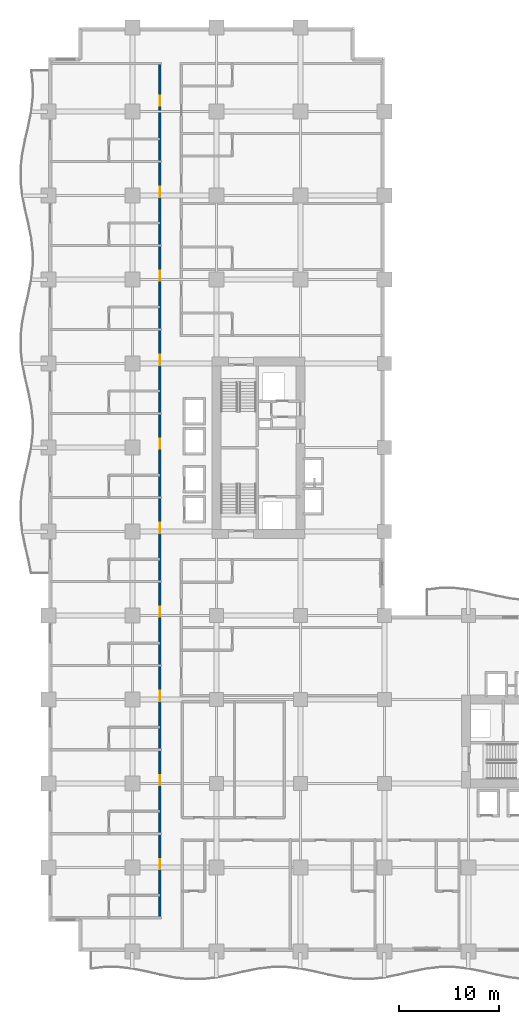
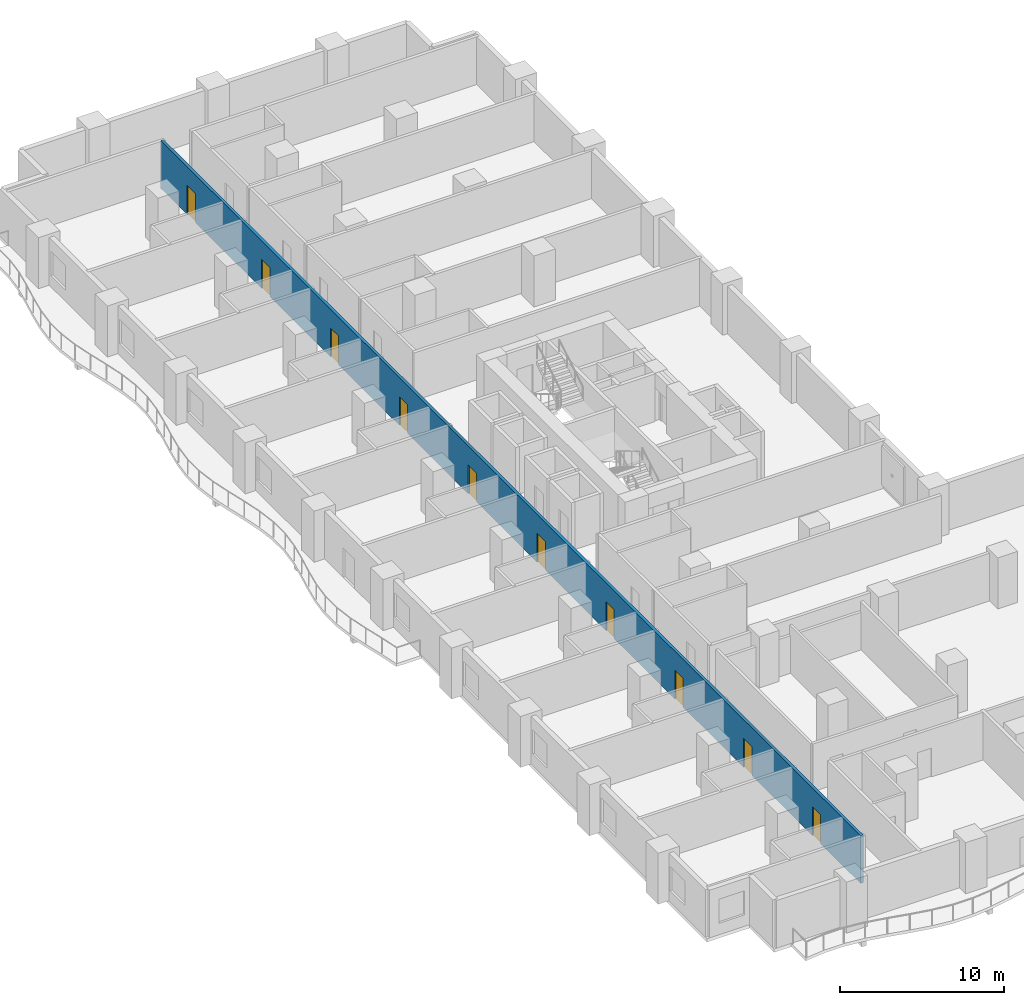
# One storey, part 10 of 20: 10 doors, 1 wall, 10 openings.
"""IFC4 building model written with IfcOpenShell, lengths in metres."""

from ifc_helpers import new_model, si_unit, direction, frame, frame_2d, origin, place, context, subcontext, project, spatial, rectangle, extrude, material, layer, layer_set, type_object, element, fill, save


model = new_model("IFC4")

# Units and contexts
model_context = context("Model", 3, precision=1e-05, world=origin(), true_north=direction((0.0, 1.0)))
body_context = subcontext(model_context, "Body", "Model", "MODEL_VIEW")
ifc_project = project(units=[si_unit("LENGTHUNIT", "METRE"), si_unit("AREAUNIT", "SQUARE_METRE"), si_unit("VOLUMEUNIT", "CUBIC_METRE"), si_unit("PLANEANGLEUNIT", "RADIAN"), si_unit("MASSUNIT", "GRAM", prefix="KILO")], contexts=[model_context])

# Site, building, storey
site_placement = place(None, origin())
site = spatial("IfcSite", under=ifc_project, at=site_placement, CompositionType="ELEMENT")
building_placement = place(site_placement, origin())
building = spatial("IfcBuilding", under=site, at=building_placement, Name="Koriwani Terraces Tower", CompositionType="ELEMENT")
storey_placement = place(building_placement, frame((0.0, 0.0, 35.800048828125)))
storey = spatial("IfcBuildingStorey", under=building, at=storey_placement, Name="L07", CompositionType="ELEMENT", Elevation=35.800048828125)

# Wall, openings, doors
ifc_material_1 = material(Name="Autoclaved Cellular Concrete Blockwork", Category="masonry")
ifc_layer = layer(ifc_material_1, 0.199951171875, Name="Autoclaved Cellular Concrete Blockwork")
ifc_layer_set = layer_set([ifc_layer], Name="Autoclaved Cellular Concrete Blockwork")
wall_type = type_object("IfcWallType", Name="WALL_CORRIDOR_200", PredefinedType="PARTITIONING", material=ifc_layer_set)
wall_placement = place(storey_placement, frame((11.14990234375, 3.39990234375, 0.0), z_axis=(0.0, 0.0, 1.0), x_axis=(0.0, 1.0, 0.0)))
wall = element("IfcWall", 1, at=wall_placement, inside=storey, type_object=wall_type, Name="L07 Interior Wall WCOR-L07-NW-0", PredefinedType="PARTITIONING", context=body_context, shape_type="SweptSolid", body=[
    extrude(rectangle(XDim=85.400146484375, YDim=0.199951171875, at=frame_2d((42.7001953125, 0.0))), origin(), (0.0, 0.0, 1.0), 3.550048828125),
])
opening_1_placement = place(wall_placement, frame((4.864990234375, 0.0, 0.0)))
opening_1 = element("IfcOpeningElement", 2, at=opening_1_placement, cuts=wall, Name="Opening D-05", PredefinedType="OPENING", context=body_context, shape_type="SweptSolid", body=[
    extrude(rectangle(XDim=1.0, YDim=2.14990234375, at=frame_2d((0.5, 1.074951171875))), frame((0.0, 0.10986328125, 0.0), z_axis=(0.0, -1.0, 0.0), x_axis=(1.0, 0.0, 0.0)), (0.0, 0.0, 1.0), 0.219970703125),
])
opening_2_placement = place(wall_placement, frame((13.264892578125, 0.0, 0.0)))
opening_2 = element("IfcOpeningElement", 3, at=opening_2_placement, cuts=wall, Name="Opening D-05", PredefinedType="OPENING", context=body_context, shape_type="SweptSolid", body=[
    extrude(rectangle(XDim=1.0, YDim=2.14990234375, at=frame_2d((0.5, 1.074951171875))), frame((0.0, 0.10986328125, 0.0), z_axis=(0.0, -1.0, 0.0), x_axis=(1.0, 0.0, 0.0)), (0.0, 0.0, 1.0), 0.219970703125),
])
opening_3_placement = place(wall_placement, frame((21.6650390625, 0.0, 0.0)))
opening_3 = element("IfcOpeningElement", 4, at=opening_3_placement, cuts=wall, Name="Opening D-05", PredefinedType="OPENING", context=body_context, shape_type="SweptSolid", body=[
    extrude(rectangle(XDim=1.0, YDim=2.14990234375, at=frame_2d((0.5, 1.074951171875))), frame((0.0, 0.10986328125, 0.0), z_axis=(0.0, -1.0, 0.0), x_axis=(1.0, 0.0, 0.0)), (0.0, 0.0, 1.0), 0.219970703125),
])
opening_4_placement = place(wall_placement, frame((30.06494140625, 0.0, 0.0)))
opening_4 = element("IfcOpeningElement", 5, at=opening_4_placement, cuts=wall, Name="Opening D-05", PredefinedType="OPENING", context=body_context, shape_type="SweptSolid", body=[
    extrude(rectangle(XDim=1.0, YDim=2.14990234375, at=frame_2d((0.5, 1.074951171875))), frame((0.0, 0.10986328125, 0.0), z_axis=(0.0, -1.0, 0.0), x_axis=(1.0, 0.0, 0.0)), (0.0, 0.0, 1.0), 0.219970703125),
])
opening_5_placement = place(wall_placement, frame((38.465087890625, 0.0, 0.0)))
opening_5 = element("IfcOpeningElement", 6, at=opening_5_placement, cuts=wall, Name="Opening D-05", PredefinedType="OPENING", context=body_context, shape_type="SweptSolid", body=[
    extrude(rectangle(XDim=1.0, YDim=2.14990234375, at=frame_2d((0.5, 1.074951171875))), frame((0.0, 0.10986328125, 0.0), z_axis=(0.0, -1.0, 0.0), x_axis=(1.0, 0.0, 0.0)), (0.0, 0.0, 1.0), 0.219970703125),
])
opening_6_placement = place(wall_placement, frame((46.864990234375, 0.0, 0.0)))
opening_6 = element("IfcOpeningElement", 7, at=opening_6_placement, cuts=wall, Name="Opening D-05", PredefinedType="OPENING", context=body_context, shape_type="SweptSolid", body=[
    extrude(rectangle(XDim=1.0, YDim=2.14990234375, at=frame_2d((0.5, 1.074951171875))), frame((0.0, 0.10986328125, 0.0), z_axis=(0.0, -1.0, 0.0), x_axis=(1.0, 0.0, 0.0)), (0.0, 0.0, 1.0), 0.219970703125),
])
opening_7_placement = place(wall_placement, frame((55.264892578125, 0.0, 0.0)))
opening_7 = element("IfcOpeningElement", 8, at=opening_7_placement, cuts=wall, Name="Opening D-05", PredefinedType="OPENING", context=body_context, shape_type="SweptSolid", body=[
    extrude(rectangle(XDim=1.0, YDim=2.14990234375, at=frame_2d((0.5, 1.074951171875))), frame((0.0, 0.10986328125, 0.0), z_axis=(0.0, -1.0, 0.0), x_axis=(1.0, 0.0, 0.0)), (0.0, 0.0, 1.0), 0.219970703125),
])
opening_8_placement = place(wall_placement, frame((63.6650390625, 0.0, 0.0)))
opening_8 = element("IfcOpeningElement", 9, at=opening_8_placement, cuts=wall, Name="Opening D-05", PredefinedType="OPENING", context=body_context, shape_type="SweptSolid", body=[
    extrude(rectangle(XDim=1.0, YDim=2.14990234375, at=frame_2d((0.5, 1.074951171875))), frame((0.0, 0.10986328125, 0.0), z_axis=(0.0, -1.0, 0.0), x_axis=(1.0, 0.0, 0.0)), (0.0, 0.0, 1.0), 0.219970703125),
])
opening_9_placement = place(wall_placement, frame((72.06494140625, 0.0, 0.0)))
opening_9 = element("IfcOpeningElement", 10, at=opening_9_placement, cuts=wall, Name="Opening D-05", PredefinedType="OPENING", context=body_context, shape_type="SweptSolid", body=[
    extrude(rectangle(XDim=1.0, YDim=2.14990234375, at=frame_2d((0.5, 1.074951171875))), frame((0.0, 0.10986328125, 0.0), z_axis=(0.0, -1.0, 0.0), x_axis=(1.0, 0.0, 0.0)), (0.0, 0.0, 1.0), 0.219970703125),
])
opening_10_placement = place(wall_placement, frame((81.1650390625, 0.0, 0.0)))
opening_10 = element("IfcOpeningElement", 11, at=opening_10_placement, cuts=wall, Name="Opening D-05", PredefinedType="OPENING", context=body_context, shape_type="SweptSolid", body=[
    extrude(rectangle(XDim=1.0, YDim=2.14990234375, at=frame_2d((0.5, 1.074951171875))), frame((0.0, 0.10986328125, 0.0), z_axis=(0.0, -1.0, 0.0), x_axis=(1.0, 0.0, 0.0)), (0.0, 0.0, 1.0), 0.219970703125),
])
ifc_material_2 = material(Name="Architectural Oak Fire Door", Category="wood")
door_type = type_object("IfcDoorType", Name="DOOR_SUITE_ENTRY_1000X2150", OperationType="NOTDEFINED", PredefinedType="DOOR", material=ifc_material_2)
door_1_placement = place(opening_1_placement, origin())
door_1 = element("IfcDoor", 12, at=door_1_placement, inside=storey, type_object=door_type, Name="Luxury Hotel Suite 07NW1 Entrance Door", OperationType="SINGLE_SWING_LEFT", OverallHeight=2.14990234375, OverallWidth=1.0, PredefinedType="DOOR", context=body_context, shape_type="SweptSolid", body=[
    extrude(rectangle(XDim=1.0, YDim=2.14990234375, at=frame_2d((0.5, 1.074951171875))), frame((0.0, 0.02490234375, 0.0), z_axis=(0.0, -1.0, 0.0), x_axis=(1.0, 0.0, 0.0)), (0.0, 0.0, 1.0), 0.050048828125),
])
fill(opening_1, door_1)
door_2_placement = place(opening_2_placement, origin())
door_2 = element("IfcDoor", 13, at=door_2_placement, inside=storey, type_object=door_type, Name="Luxury Hotel Suite 07NW2 Entrance Door", OperationType="SINGLE_SWING_LEFT", OverallHeight=2.14990234375, OverallWidth=1.0, PredefinedType="DOOR", context=body_context, shape_type="SweptSolid", body=[
    extrude(rectangle(XDim=1.0, YDim=2.14990234375, at=frame_2d((0.5, 1.074951171875))), frame((0.0, 0.02490234375, 0.0), z_axis=(0.0, -1.0, 0.0), x_axis=(1.0, 0.0, 0.0)), (0.0, 0.0, 1.0), 0.050048828125),
])
fill(opening_2, door_2)
door_3_placement = place(opening_3_placement, origin())
door_3 = element("IfcDoor", 14, at=door_3_placement, inside=storey, type_object=door_type, Name="Luxury Hotel Suite 07NW3 Entrance Door", OperationType="SINGLE_SWING_LEFT", OverallHeight=2.14990234375, OverallWidth=1.0, PredefinedType="DOOR", context=body_context, shape_type="SweptSolid", body=[
    extrude(rectangle(XDim=1.0, YDim=2.14990234375, at=frame_2d((0.5, 1.074951171875))), frame((0.0, 0.02490234375, 0.0), z_axis=(0.0, -1.0, 0.0), x_axis=(1.0, 0.0, 0.0)), (0.0, 0.0, 1.0), 0.050048828125),
])
fill(opening_3, door_3)
door_4_placement = place(opening_4_placement, origin())
door_4 = element("IfcDoor", 15, at=door_4_placement, inside=storey, type_object=door_type, Name="Luxury Hotel Suite 07NW4 Entrance Door", OperationType="SINGLE_SWING_LEFT", OverallHeight=2.14990234375, OverallWidth=1.0, PredefinedType="DOOR", context=body_context, shape_type="SweptSolid", body=[
    extrude(rectangle(XDim=1.0, YDim=2.14990234375, at=frame_2d((0.5, 1.074951171875))), frame((0.0, 0.02490234375, 0.0), z_axis=(0.0, -1.0, 0.0), x_axis=(1.0, 0.0, 0.0)), (0.0, 0.0, 1.0), 0.050048828125),
])
fill(opening_4, door_4)
door_5_placement = place(opening_5_placement, origin())
door_5 = element("IfcDoor", 16, at=door_5_placement, inside=storey, type_object=door_type, Name="Luxury Hotel Suite 07NW5 Entrance Door", OperationType="SINGLE_SWING_LEFT", OverallHeight=2.14990234375, OverallWidth=1.0, PredefinedType="DOOR", context=body_context, shape_type="SweptSolid", body=[
    extrude(rectangle(XDim=1.0, YDim=2.14990234375, at=frame_2d((0.5, 1.074951171875))), frame((0.0, 0.02490234375, 0.0), z_axis=(0.0, -1.0, 0.0), x_axis=(1.0, 0.0, 0.0)), (0.0, 0.0, 1.0), 0.050048828125),
])
fill(opening_5, door_5)
door_6_placement = place(opening_6_placement, origin())
door_6 = element("IfcDoor", 17, at=door_6_placement, inside=storey, type_object=door_type, Name="Luxury Hotel Suite 07NW6 Entrance Door", OperationType="SINGLE_SWING_LEFT", OverallHeight=2.14990234375, OverallWidth=1.0, PredefinedType="DOOR", context=body_context, shape_type="SweptSolid", body=[
    extrude(rectangle(XDim=1.0, YDim=2.14990234375, at=frame_2d((0.5, 1.074951171875))), frame((0.0, 0.02490234375, 0.0), z_axis=(0.0, -1.0, 0.0), x_axis=(1.0, 0.0, 0.0)), (0.0, 0.0, 1.0), 0.050048828125),
])
fill(opening_6, door_6)
door_7_placement = place(opening_7_placement, origin())
door_7 = element("IfcDoor", 18, at=door_7_placement, inside=storey, type_object=door_type, Name="Luxury Hotel Suite 07NW7 Entrance Door", OperationType="SINGLE_SWING_LEFT", OverallHeight=2.14990234375, OverallWidth=1.0, PredefinedType="DOOR", context=body_context, shape_type="SweptSolid", body=[
    extrude(rectangle(XDim=1.0, YDim=2.14990234375, at=frame_2d((0.5, 1.074951171875))), frame((0.0, 0.02490234375, 0.0), z_axis=(0.0, -1.0, 0.0), x_axis=(1.0, 0.0, 0.0)), (0.0, 0.0, 1.0), 0.050048828125),
])
fill(opening_7, door_7)
door_8_placement = place(opening_8_placement, origin())
door_8 = element("IfcDoor", 19, at=door_8_placement, inside=storey, type_object=door_type, Name="Luxury Hotel Suite 07NW8 Entrance Door", OperationType="SINGLE_SWING_LEFT", OverallHeight=2.14990234375, OverallWidth=1.0, PredefinedType="DOOR", context=body_context, shape_type="SweptSolid", body=[
    extrude(rectangle(XDim=1.0, YDim=2.14990234375, at=frame_2d((0.5, 1.074951171875))), frame((0.0, 0.02490234375, 0.0), z_axis=(0.0, -1.0, 0.0), x_axis=(1.0, 0.0, 0.0)), (0.0, 0.0, 1.0), 0.050048828125),
])
fill(opening_8, door_8)
door_9_placement = place(opening_9_placement, origin())
door_9 = element("IfcDoor", 20, at=door_9_placement, inside=storey, type_object=door_type, Name="Luxury Hotel Suite 07NW9 Entrance Door", OperationType="SINGLE_SWING_LEFT", OverallHeight=2.14990234375, OverallWidth=1.0, PredefinedType="DOOR", context=body_context, shape_type="SweptSolid", body=[
    extrude(rectangle(XDim=1.0, YDim=2.14990234375, at=frame_2d((0.5, 1.074951171875))), frame((0.0, 0.02490234375, 0.0), z_axis=(0.0, -1.0, 0.0), x_axis=(1.0, 0.0, 0.0)), (0.0, 0.0, 1.0), 0.050048828125),
])
fill(opening_9, door_9)
door_10_placement = place(opening_10_placement, origin())
door_10 = element("IfcDoor", 21, at=door_10_placement, inside=storey, type_object=door_type, Name="Luxury Hotel Suite 07NW10 Entrance Door", OperationType="SINGLE_SWING_LEFT", OverallHeight=2.14990234375, OverallWidth=1.0, PredefinedType="DOOR", context=body_context, shape_type="SweptSolid", body=[
    extrude(rectangle(XDim=1.0, YDim=2.14990234375, at=frame_2d((0.5, 1.074951171875))), frame((0.0, 0.02490234375, 0.0), z_axis=(0.0, -1.0, 0.0), x_axis=(1.0, 0.0, 0.0)), (0.0, 0.0, 1.0), 0.050048828125),
])
fill(opening_10, door_10)

save(model, "model.ifc")
